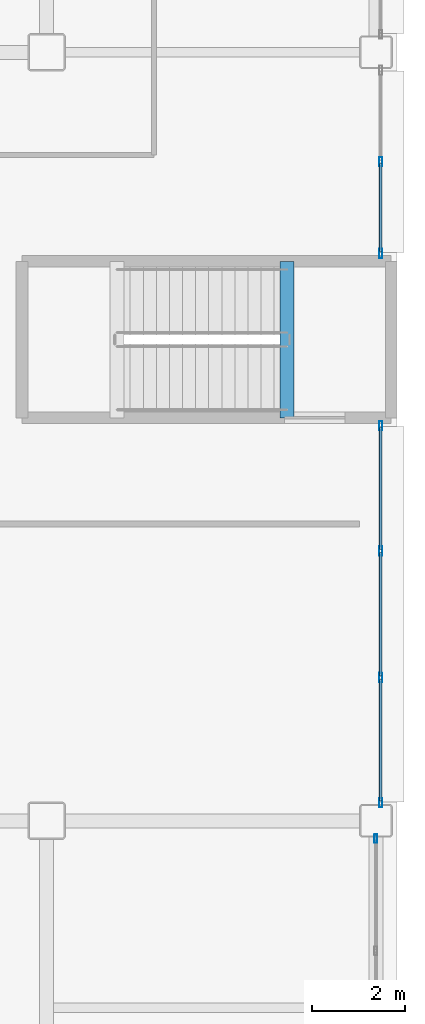
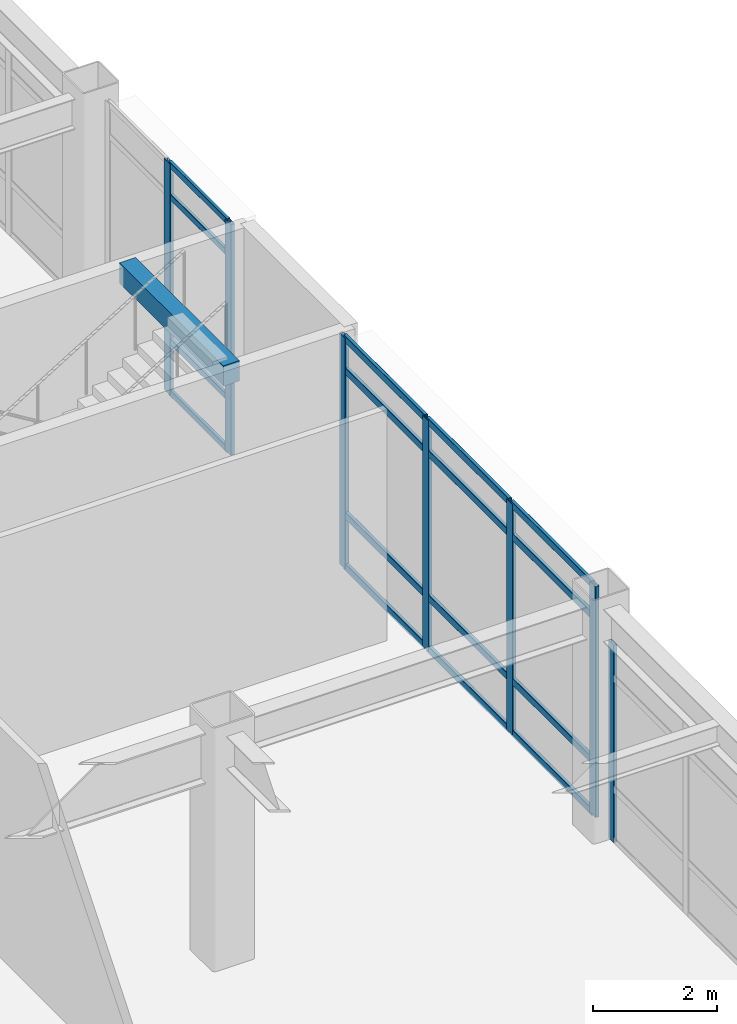
# One storey, part 104 of 154: 23 members, 1 beam, 3 elements without a shape of their own.
"""IFC4 building model written with IfcOpenShell, lengths in metres."""

import ifcopenshell
import ifcopenshell.guid

model = None  # the IFC model being written
_history = None  # IfcOwnerHistory: only IFC2X3 demands one
_inside = {}  # id of a spatial element -> (the spatial element, [elements in it])
_under = {}  # id of a project, library or spatial element -> (it, [spatial elements below it])
_declared = {}  # id of a project -> (the project, [libraries it declares])
_typed = {}  # id of a type object -> (the type object, [elements of that type])
_made_of = {}  # id of a material, layer set ... -> (it, [elements and type objects made of it])


def new_model(schema):
    """Start an empty IFC model of exactly this schema.

    Asked for "IFC4X3", IfcOpenShell would pick the latest addendum, in which some entities
    have other attributes; the version numbers below select the first issue.
    IFC2X3 requires an IfcOwnerHistory on every rooted entity: one is made here for all.
    """
    global model, _history
    if schema == "IFC4X3":
        model = ifcopenshell.file(schema_version=(4, 3, 0, 0))
    else:
        model = ifcopenshell.file(schema=schema)
    _inside.clear()
    _under.clear()
    _declared.clear()
    _typed.clear()
    _made_of.clear()
    _history = None
    if model.schema == "IFC2X3":
        org = make("IfcOrganization", Name="unknown")
        user = make(
            "IfcPersonAndOrganization",
            ThePerson=make("IfcPerson", FamilyName="unknown"),
            TheOrganization=org,
        )
        app = make(
            "IfcApplication",
            ApplicationDeveloper=org,
            Version="unknown",
            ApplicationFullName="unknown",
            ApplicationIdentifier="unknown",
        )
        _history = make(
            "IfcOwnerHistory",
            OwningUser=user,
            OwningApplication=app,
            ChangeAction="ADDED",
            CreationDate=0,
        )
    return model


def make(cls, **values):
    """One entity of the class cls with the attributes given. An attribute that is None is left unset."""
    return model.create_entity(
        cls, **{name: value for name, value in values.items() if value is not None}
    )


def rooted(cls, **values):
    """An entity with a GlobalId (a new one), such as an element, a storey or a relation."""
    return make(cls, GlobalId=ifcopenshell.guid.new(), OwnerHistory=_history, **values)


def si_unit(unit_type, name, prefix=None):
    """IfcSIUnit, for example si_unit("LENGTHUNIT", "METRE", prefix="MILLI")."""
    return make("IfcSIUnit", UnitType=unit_type, Prefix=prefix, Name=name)


def assignment(units):
    """IfcUnitAssignment: the units of a project."""
    return None if units is None else make("IfcUnitAssignment", Units=units)


def point(xyz):
    """IfcCartesianPoint."""
    return None if xyz is None else make("IfcCartesianPoint", Coordinates=xyz)


def direction(xyz):
    """IfcDirection."""
    return None if xyz is None else make("IfcDirection", DirectionRatios=xyz)


def frame(location, z_axis=None, x_axis=None):
    """IfcAxis2Placement3D, a coordinate frame: its origin and axes. An axis left out is left unset."""
    return make(
        "IfcAxis2Placement3D",
        Location=point(location),
        Axis=direction(z_axis),
        RefDirection=direction(x_axis),
    )


def frame_2d(location, x_axis=None):
    """IfcAxis2Placement2D, a coordinate frame in the plane: its origin and x axis."""
    return make(
        "IfcAxis2Placement2D", Location=point(location), RefDirection=direction(x_axis)
    )


def origin():
    """The frame at (0, 0, 0) with its axes left unset."""
    return frame((0.0, 0.0, 0.0))


def origin_2d():
    """The frame at (0, 0) in the plane with its x axis left unset."""
    return frame_2d((0.0, 0.0))


def place(relative_to, where):
    """IfcLocalPlacement: puts the frame where relative to a parent placement (None: the world)."""
    return make(
        "IfcLocalPlacement", PlacementRelTo=relative_to, RelativePlacement=where
    )


def context(
    kind, dimensions, precision=None, world=None, true_north=None, identifier=None
):
    """IfcGeometricRepresentationContext, for example the 3D "Model" context."""
    return make(
        "IfcGeometricRepresentationContext",
        ContextIdentifier=identifier,
        ContextType=kind,
        CoordinateSpaceDimension=dimensions,
        Precision=precision,
        WorldCoordinateSystem=world,
        TrueNorth=true_north,
    )


def subcontext(parent, identifier, kind, view, scale=None):
    """IfcGeometricRepresentationSubContext, for example "Body" below "Model"."""
    return make(
        "IfcGeometricRepresentationSubContext",
        ContextIdentifier=identifier,
        ContextType=kind,
        ParentContext=parent,
        TargetScale=scale,
        TargetView=view,
    )


def project(units=None, contexts=None):
    """IfcProject with its units and contexts."""
    return rooted(
        "IfcProject",
        Name="project",
        RepresentationContexts=contexts,
        UnitsInContext=assignment(units),
    )


def spatial(cls, under=None, at=None, **own):
    """A site, building, storey or space (cls), placed at a placement, below another one or the project."""
    s = rooted(cls, ObjectPlacement=at, **own)
    if under is not None:
        _under.setdefault(under.id(), (under, []))[1].append(s)
    return s


def profile(cls, at=None, kind="AREA", **sizes):
    """A parametric profile (cls). Its sizes go by their IFC names, for example OverallWidth=200.0."""
    return make(cls, ProfileType=kind, Position=at, **sizes)


def rectangle(**sizes):
    """IfcRectangleProfileDef."""
    return profile("IfcRectangleProfileDef", **sizes)


def hollow_rectangle(**sizes):
    """IfcRectangleHollowProfileDef."""
    return profile("IfcRectangleHollowProfileDef", **sizes)


def extrude(swept, where, along, depth):
    """IfcExtrudedAreaSolid: the profile swept, set in the frame where, extruded along a direction by depth."""
    return make(
        "IfcExtrudedAreaSolid",
        SweptArea=swept,
        Position=where,
        ExtrudedDirection=direction(along),
        Depth=depth,
    )


def shape(context_of_items, identifier, shape_type, items):
    """IfcShapeRepresentation: the items that make up one representation, for example the "Body"."""
    return make(
        "IfcShapeRepresentation",
        ContextOfItems=context_of_items,
        RepresentationIdentifier=identifier,
        RepresentationType=shape_type,
        Items=items,
    )


def material(Name=None, Category=None):
    """IfcMaterial."""
    return make("IfcMaterial", Name=Name, Category=Category)


def layer(
    of_material, thickness, ventilated=None, Name=None, Category=None, Priority=None
):
    """IfcMaterialLayer: one layer of a wall or slab, of a material (None: an air gap)."""
    return make(
        "IfcMaterialLayer",
        Material=of_material,
        LayerThickness=thickness,
        IsVentilated=ventilated,
        Name=Name,
        Category=Category,
        Priority=Priority,
    )


def layer_set(layers, Name=None):
    """IfcMaterialLayerSet."""
    return make("IfcMaterialLayerSet", MaterialLayers=layers, LayerSetName=Name)


def material_profile(
    of_material, cross_section, Name=None, Category=None, Priority=None
):
    """IfcMaterialProfile: a cross section and its material."""
    return make(
        "IfcMaterialProfile",
        Name=Name,
        Material=of_material,
        Profile=cross_section,
        Priority=Priority,
        Category=Category,
    )


def profile_set(profiles, Name=None, composite=None):
    """IfcMaterialProfileSet."""
    return make(
        "IfcMaterialProfileSet",
        Name=Name,
        MaterialProfiles=profiles,
        CompositeProfile=composite,
    )


def made_of(thing, what):
    """Note that an element or type object is made of a material, layer set ...; save() writes the relation."""
    if what is not None:
        _made_of.setdefault(what.id(), (what, []))[1].append(thing)
    return thing


def type_object(cls, material=None, **own):
    """A type object (cls), such as IfcWallType, which elements share."""
    return made_of(rooted(cls, **own), material)


def element(
    cls,
    number,
    at=None,
    inside=None,
    cuts=None,
    type_object=None,
    material=None,
    context=None,
    identifier="Body",
    shape_type=None,
    held_by="IfcProductDefinitionShape",
    body=None,
    shapes=None,
    **own,
):
    """One element of the class cls, such as IfcWall. Its Tag is "e" and its number.

    at: its placement. inside: the storey or other place that contains it. cuts: it is an
    opening in that element (IfcRelVoidsElement). A single representation is given by context,
    identifier, shape_type and body (its items); several are given by shapes. held_by: the class
    of the entity that holds the representations. save() writes the other relations.
    """
    e = rooted(cls, Tag="e%d" % number, ObjectPlacement=at, **own)
    if body is not None:
        shapes = [shape(context, identifier, shape_type, body)]
    if shapes is not None:
        e.Representation = make(held_by, Representations=shapes)
    if inside is not None:
        _inside.setdefault(inside.id(), (inside, []))[1].append(e)
    if cuts is not None:
        rooted(
            "IfcRelVoidsElement", RelatingBuildingElement=cuts, RelatedOpeningElement=e
        )
    if type_object is not None:
        _typed.setdefault(type_object.id(), (type_object, []))[1].append(e)
    return made_of(e, material)


def aggregate(whole, parts):
    """IfcRelAggregates: a whole, such as a stair, and the parts it consists of."""
    return rooted("IfcRelAggregates", RelatingObject=whole, RelatedObjects=parts)


def save(model, path):
    """Write the relations noted so far, then the file.

    IfcRelAggregates (storeys below a building ...), IfcRelContainedInSpatialStructure (elements
    in a storey), IfcRelDefinesByType, IfcRelAssociatesMaterial and IfcRelDeclares: one each for
    every whole, place, type object, material and project.
    """
    for whole, parts in _under.values():
        aggregate(whole, parts)
    for where, things in _inside.values():
        rooted(
            "IfcRelContainedInSpatialStructure",
            RelatedElements=things,
            RelatingStructure=where,
        )
    for kind, things in _typed.values():
        rooted("IfcRelDefinesByType", RelatedObjects=things, RelatingType=kind)
    for what, things in _made_of.values():
        rooted("IfcRelAssociatesMaterial", RelatedObjects=things, RelatingMaterial=what)
    for by, libraries in _declared.values():
        rooted("IfcRelDeclares", RelatingContext=by, RelatedDefinitions=libraries)
    model.write(path)


model = new_model("IFC4")

# Units and contexts
model_context = context("Model", 3, precision=1e-05, world=origin(), true_north=direction((0.0, 1.0)))
body_context = subcontext(model_context, "Body", "Model", "MODEL_VIEW")
ifc_project = project(units=[si_unit("LENGTHUNIT", "METRE"), si_unit("AREAUNIT", "SQUARE_METRE"), si_unit("VOLUMEUNIT", "CUBIC_METRE"), si_unit("PLANEANGLEUNIT", "RADIAN"), si_unit("MASSUNIT", "GRAM", prefix="KILO")], contexts=[model_context])

# Site, building, storey
site_placement = place(None, origin())
site = spatial("IfcSite", under=ifc_project, at=site_placement, CompositionType="ELEMENT")
building_placement = place(site_placement, origin())
building = spatial("IfcBuilding", under=site, at=building_placement, Name="Kazehara Bluff Congress Hotel", CompositionType="ELEMENT")
storey_placement = place(building_placement, frame((0.0, 0.0, 10.199951171875)))
storey = spatial("IfcBuildingStorey", under=building, at=storey_placement, Name="L02", CompositionType="ELEMENT", Elevation=10.199951171875)

# Curtain wall, member
ifc_material_1 = material(Name="Anodised aluminium", Category="aluminium")
ifc_layer_1 = layer(ifc_material_1, 0.159912109375)
ifc_layer_set_1 = layer_set([ifc_layer_1], Name="Anodised aluminium")
curtain_wall_type_1 = type_object("IfcCurtainWallType", Name="TP-CW-80", PredefinedType="NOTDEFINED", material=ifc_layer_set_1)
curtain_wall_1_placement = place(storey_placement, origin())
curtain_wall_1 = element("IfcCurtainWall", 1, at=curtain_wall_1_placement, inside=storey, type_object=curtain_wall_type_1, Name="L02 curtain wall CW-80 CW-V5-L02-X16755-5680", PredefinedType="NOTDEFINED")
ifc_material_2 = material(Name="Anodised aluminium", Category="aluminium")
ifc_material_profile_1 = material_profile(ifc_material_2, hollow_rectangle(XDim=0.06494140625, YDim=0.179931640625, WallThickness=0.00390625, InnerFilletRadius=0.00390625, OuterFilletRadius=0.008056640625, at=origin_2d()))
ifc_profile_set_1 = profile_set([ifc_material_profile_1], Name="Anodised aluminium")
member_type_1 = type_object("IfcMemberType", Name="TP-CWM-02", PredefinedType="MULLION", material=ifc_profile_set_1)
member_1_placement = place(storey_placement, frame((167.550048828125, 64.0673828125, 0.0), z_axis=(0.0, 0.0, 1.0), x_axis=(-1.0, 0.0, 0.0)))
member_1 = element("IfcMember", 2, at=member_1_placement, type_object=member_type_1, Name="CW-80 mullion 4", PredefinedType="MULLION", context=body_context, shape_type="SweptSolid", body=[
    extrude(hollow_rectangle(XDim=0.06494140625, YDim=0.179931640625, WallThickness=0.00390625, InnerFilletRadius=0.00390625, OuterFilletRadius=0.008056640625, at=origin_2d()), origin(), (0.0, 0.0, 1.0), 3.885009765625),
])
aggregate(curtain_wall_1, [member_1])

# Curtain wall, members
ifc_material_3 = material(Name="Anodised aluminium", Category="aluminium")
ifc_layer_2 = layer(ifc_material_3, 0.159912109375)
ifc_layer_set_2 = layer_set([ifc_layer_2], Name="Anodised aluminium")
curtain_wall_type_2 = type_object("IfcCurtainWallType", Name="TP-CW-115", PredefinedType="NOTDEFINED", material=ifc_layer_set_2)
curtain_wall_2_placement = place(storey_placement, origin())
curtain_wall_2 = element("IfcCurtainWall", 3, at=curtain_wall_2_placement, inside=storey, type_object=curtain_wall_type_2, Name="L02 curtain wall CW-115 CW-ENC-V5-L02-16765-6887", PredefinedType="NOTDEFINED")
ifc_material_4 = material(Name="Anodised aluminium", Category="aluminium")
ifc_material_profile_2 = material_profile(ifc_material_4, hollow_rectangle(XDim=0.070068359375, YDim=0.199951171875, WallThickness=0.0048828125, InnerFilletRadius=0.0048828125, OuterFilletRadius=0.010009765625, at=origin_2d()))
ifc_profile_set_2 = profile_set([ifc_material_profile_2], Name="Anodised aluminium")
member_type_2 = type_object("IfcMemberType", Name="TP-CWM-03", PredefinedType="MULLION", material=ifc_profile_set_2)
member_2_placement = place(storey_placement, frame((167.64990234375, 72.905029296875, 0.0), z_axis=(0.0, 0.0, 1.0), x_axis=(1.0, 0.0, 0.0)))
member_2 = element("IfcMember", 4, at=member_2_placement, type_object=member_type_2, Name="CW-115 mullion 1", PredefinedType="MULLION", context=body_context, shape_type="SweptSolid", body=[
    extrude(hollow_rectangle(XDim=0.070068359375, YDim=0.199951171875, WallThickness=0.0048828125, InnerFilletRadius=0.0048828125, OuterFilletRadius=0.010009765625, at=origin_2d()), origin(), (0.0, 0.0, 1.0), 4.545166015625),
])
member_3_placement = place(storey_placement, frame((167.64990234375, 70.2265625, 0.0), z_axis=(0.0, 0.0, 1.0), x_axis=(1.0, 0.0, 0.0)))
member_3 = element("IfcMember", 5, at=member_3_placement, type_object=member_type_2, Name="CW-115 mullion 2", PredefinedType="MULLION", context=body_context, shape_type="SweptSolid", body=[
    extrude(hollow_rectangle(XDim=0.070068359375, YDim=0.199951171875, WallThickness=0.0048828125, InnerFilletRadius=0.0048828125, OuterFilletRadius=0.010009765625, at=origin_2d()), origin(), (0.0, 0.0, 1.0), 4.545166015625),
])
member_4_placement = place(storey_placement, frame((167.64990234375, 67.513427734375, 0.0), z_axis=(0.0, 0.0, 1.0), x_axis=(1.0, 0.0, 0.0)))
member_4 = element("IfcMember", 6, at=member_4_placement, type_object=member_type_2, Name="CW-115 mullion 3", PredefinedType="MULLION", context=body_context, shape_type="SweptSolid", body=[
    extrude(hollow_rectangle(XDim=0.070068359375, YDim=0.199951171875, WallThickness=0.0048828125, InnerFilletRadius=0.0048828125, OuterFilletRadius=0.010009765625, at=origin_2d()), origin(), (0.0, 0.0, 1.0), 4.545166015625),
])
member_5_placement = place(storey_placement, frame((167.64990234375, 64.8349609375, 0.0), z_axis=(0.0, 0.0, 1.0), x_axis=(1.0, 0.0, 0.0)))
member_5 = element("IfcMember", 7, at=member_5_placement, type_object=member_type_2, Name="CW-115 mullion 4", PredefinedType="MULLION", context=body_context, shape_type="SweptSolid", body=[
    extrude(hollow_rectangle(XDim=0.070068359375, YDim=0.199951171875, WallThickness=0.0048828125, InnerFilletRadius=0.0048828125, OuterFilletRadius=0.010009765625, at=origin_2d()), origin(), (0.0, 0.0, 1.0), 4.545166015625),
])

ifc_material_5 = material(Name="Anodised aluminium", Category="aluminium")
ifc_layer_3 = layer(ifc_material_5, 0.159912109375)
ifc_layer_set_3 = layer_set([ifc_layer_3], Name="Anodised aluminium")
curtain_wall_type_3 = type_object("IfcCurtainWallType", Name="TP-CW-116", PredefinedType="NOTDEFINED", material=ifc_layer_set_3)
curtain_wall_3_placement = place(storey_placement, origin())
curtain_wall_3 = element("IfcCurtainWall", 8, at=curtain_wall_3_placement, inside=storey, type_object=curtain_wall_type_3, Name="L02 curtain wall CW-116 CW-ENC-V5-L02-16765-7856", PredefinedType="NOTDEFINED")
member_6_placement = place(storey_placement, frame((167.64990234375, 78.554931640625, 0.0), z_axis=(0.0, 0.0, 1.0), x_axis=(1.0, 0.0, 0.0)))
member_6 = element("IfcMember", 9, at=member_6_placement, type_object=member_type_2, Name="CW-116 mullion 2", PredefinedType="MULLION", context=body_context, shape_type="SweptSolid", body=[
    extrude(hollow_rectangle(XDim=0.070068359375, YDim=0.199951171875, WallThickness=0.0048828125, InnerFilletRadius=0.0048828125, OuterFilletRadius=0.010009765625, at=origin_2d()), origin(), (0.0, 0.0, 1.0), 4.545166015625),
])
member_7_placement = place(storey_placement, frame((167.64990234375, 76.594970703125, 0.0), z_axis=(0.0, 0.0, 1.0), x_axis=(1.0, 0.0, 0.0)))
member_7 = element("IfcMember", 10, at=member_7_placement, type_object=member_type_2, Name="CW-116 mullion 3", PredefinedType="MULLION", context=body_context, shape_type="SweptSolid", body=[
    extrude(hollow_rectangle(XDim=0.070068359375, YDim=0.199951171875, WallThickness=0.0048828125, InnerFilletRadius=0.0048828125, OuterFilletRadius=0.010009765625, at=origin_2d()), origin(), (0.0, 0.0, 1.0), 4.545166015625),
])
ifc_material_6 = material(Name="Anodised aluminium", Category="aluminium")
ifc_material_profile_3 = material_profile(ifc_material_6, hollow_rectangle(XDim=0.06005859375, YDim=0.1201171875, WallThickness=0.00390625, InnerFilletRadius=0.00390625, OuterFilletRadius=0.008056640625, at=origin_2d()))
ifc_profile_set_3 = profile_set([ifc_material_profile_3], Name="Anodised aluminium")
member_type_3 = type_object("IfcMemberType", Name="TP-CWT-01", PredefinedType="USERDEFINED", material=ifc_profile_set_3)
member_8_placement = place(storey_placement, frame((167.64990234375, 78.52001953125, 0.030029296875), z_axis=(0.0, -1.0, 0.0), x_axis=(1.0, 0.0, 0.0)))
member_8 = element("IfcMember", 11, at=member_8_placement, type_object=member_type_3, Name="CW-116 transom 2.1", ObjectType="TRANSOM", PredefinedType="USERDEFINED", context=body_context, shape_type="SweptSolid", body=[
    extrude(hollow_rectangle(XDim=0.06005859375, YDim=0.1201171875, WallThickness=0.00390625, InnerFilletRadius=0.00390625, OuterFilletRadius=0.008056640625, at=origin_2d()), origin(), (0.0, 0.0, 1.0), 1.89013671875),
])
member_9_placement = place(storey_placement, frame((167.64990234375, 78.52001953125, 1.050048828125), z_axis=(0.0, -1.0, 0.0), x_axis=(1.0, 0.0, 0.0)))
member_9 = element("IfcMember", 12, at=member_9_placement, type_object=member_type_3, Name="CW-116 transom 2.2", ObjectType="TRANSOM", PredefinedType="USERDEFINED", context=body_context, shape_type="SweptSolid", body=[
    extrude(hollow_rectangle(XDim=0.06005859375, YDim=0.1201171875, WallThickness=0.00390625, InnerFilletRadius=0.00390625, OuterFilletRadius=0.008056640625, at=origin_2d()), origin(), (0.0, 0.0, 1.0), 1.89013671875),
])
member_10_placement = place(storey_placement, frame((167.64990234375, 78.52001953125, 3.89501953125), z_axis=(0.0, -1.0, 0.0), x_axis=(1.0, 0.0, 0.0)))
member_10 = element("IfcMember", 13, at=member_10_placement, type_object=member_type_3, Name="CW-116 transom 2.3", ObjectType="TRANSOM", PredefinedType="USERDEFINED", context=body_context, shape_type="SweptSolid", body=[
    extrude(hollow_rectangle(XDim=0.06005859375, YDim=0.1201171875, WallThickness=0.00390625, InnerFilletRadius=0.00390625, OuterFilletRadius=0.008056640625, at=origin_2d()), origin(), (0.0, 0.0, 1.0), 1.89013671875),
])
member_11_placement = place(storey_placement, frame((167.64990234375, 78.52001953125, 4.51513671875), z_axis=(0.0, -1.0, 0.0), x_axis=(1.0, 0.0, 0.0)))
member_11 = element("IfcMember", 14, at=member_11_placement, type_object=member_type_3, Name="CW-116 transom 2.4", ObjectType="TRANSOM", PredefinedType="USERDEFINED", context=body_context, shape_type="SweptSolid", body=[
    extrude(hollow_rectangle(XDim=0.06005859375, YDim=0.1201171875, WallThickness=0.00390625, InnerFilletRadius=0.00390625, OuterFilletRadius=0.008056640625, at=origin_2d()), origin(), (0.0, 0.0, 1.0), 1.89013671875),
])
aggregate(curtain_wall_3, [member_6, member_7, member_8, member_9, member_10, member_11])

# Member
ifc_material_7 = material(Name="Anodised aluminium", Category="aluminium")
ifc_material_profile_4 = material_profile(ifc_material_7, hollow_rectangle(XDim=0.06494140625, YDim=0.139892578125, WallThickness=0.00390625, InnerFilletRadius=0.00390625, OuterFilletRadius=0.008056640625, at=origin_2d()))
ifc_profile_set_4 = profile_set([ifc_material_profile_4], Name="Anodised aluminium")
member_type_4 = type_object("IfcMemberType", Name="TP-CWT-02", PredefinedType="USERDEFINED", material=ifc_profile_set_4)
member_12_placement = place(storey_placement, frame((167.64990234375, 72.8701171875, 0.032470703125), z_axis=(0.0, -1.0, 0.0), x_axis=(1.0, 0.0, 0.0)))
member_12 = element("IfcMember", 15, at=member_12_placement, type_object=member_type_4, Name="CW-115 transom 1.1", ObjectType="TRANSOM", PredefinedType="USERDEFINED", context=body_context, shape_type="SweptSolid", body=[
    extrude(hollow_rectangle(XDim=0.06494140625, YDim=0.139892578125, WallThickness=0.00390625, InnerFilletRadius=0.00390625, OuterFilletRadius=0.008056640625, at=origin_2d()), origin(), (0.0, 0.0, 1.0), 2.6083984375),
])

member_13_placement = place(storey_placement, frame((167.64990234375, 72.8701171875, 1.050048828125), z_axis=(0.0, -1.0, 0.0), x_axis=(1.0, 0.0, 0.0)))
member_13 = element("IfcMember", 16, at=member_13_placement, type_object=member_type_4, Name="CW-115 transom 1.2", ObjectType="TRANSOM", PredefinedType="USERDEFINED", context=body_context, shape_type="SweptSolid", body=[
    extrude(hollow_rectangle(XDim=0.06494140625, YDim=0.139892578125, WallThickness=0.00390625, InnerFilletRadius=0.00390625, OuterFilletRadius=0.008056640625, at=origin_2d()), origin(), (0.0, 0.0, 1.0), 2.6083984375),
])

member_14_placement = place(storey_placement, frame((167.64990234375, 72.8701171875, 3.89501953125), z_axis=(0.0, -1.0, 0.0), x_axis=(1.0, 0.0, 0.0)))
member_14 = element("IfcMember", 17, at=member_14_placement, type_object=member_type_4, Name="CW-115 transom 1.3", ObjectType="TRANSOM", PredefinedType="USERDEFINED", context=body_context, shape_type="SweptSolid", body=[
    extrude(hollow_rectangle(XDim=0.06494140625, YDim=0.139892578125, WallThickness=0.00390625, InnerFilletRadius=0.00390625, OuterFilletRadius=0.008056640625, at=origin_2d()), origin(), (0.0, 0.0, 1.0), 2.6083984375),
])

member_15_placement = place(storey_placement, frame((167.64990234375, 72.8701171875, 4.512451171875), z_axis=(0.0, -1.0, 0.0), x_axis=(1.0, 0.0, 0.0)))
member_15 = element("IfcMember", 18, at=member_15_placement, type_object=member_type_4, Name="CW-115 transom 1.4", ObjectType="TRANSOM", PredefinedType="USERDEFINED", context=body_context, shape_type="SweptSolid", body=[
    extrude(hollow_rectangle(XDim=0.06494140625, YDim=0.139892578125, WallThickness=0.00390625, InnerFilletRadius=0.00390625, OuterFilletRadius=0.008056640625, at=origin_2d()), origin(), (0.0, 0.0, 1.0), 2.6083984375),
])

member_16_placement = place(storey_placement, frame((167.64990234375, 70.191650390625, 0.032470703125), z_axis=(0.0, -1.0, 0.0), x_axis=(1.0, 0.0, 0.0)))
member_16 = element("IfcMember", 19, at=member_16_placement, type_object=member_type_4, Name="CW-115 transom 2.1", ObjectType="TRANSOM", PredefinedType="USERDEFINED", context=body_context, shape_type="SweptSolid", body=[
    extrude(hollow_rectangle(XDim=0.06494140625, YDim=0.139892578125, WallThickness=0.00390625, InnerFilletRadius=0.00390625, OuterFilletRadius=0.008056640625, at=origin_2d()), origin(), (0.0, 0.0, 1.0), 2.643310546875),
])

member_17_placement = place(storey_placement, frame((167.64990234375, 70.191650390625, 1.050048828125), z_axis=(0.0, -1.0, 0.0), x_axis=(1.0, 0.0, 0.0)))
member_17 = element("IfcMember", 20, at=member_17_placement, type_object=member_type_4, Name="CW-115 transom 2.2", ObjectType="TRANSOM", PredefinedType="USERDEFINED", context=body_context, shape_type="SweptSolid", body=[
    extrude(hollow_rectangle(XDim=0.06494140625, YDim=0.139892578125, WallThickness=0.00390625, InnerFilletRadius=0.00390625, OuterFilletRadius=0.008056640625, at=origin_2d()), origin(), (0.0, 0.0, 1.0), 2.643310546875),
])

member_18_placement = place(storey_placement, frame((167.64990234375, 70.191650390625, 3.89501953125), z_axis=(0.0, -1.0, 0.0), x_axis=(1.0, 0.0, 0.0)))
member_18 = element("IfcMember", 21, at=member_18_placement, type_object=member_type_4, Name="CW-115 transom 2.3", ObjectType="TRANSOM", PredefinedType="USERDEFINED", context=body_context, shape_type="SweptSolid", body=[
    extrude(hollow_rectangle(XDim=0.06494140625, YDim=0.139892578125, WallThickness=0.00390625, InnerFilletRadius=0.00390625, OuterFilletRadius=0.008056640625, at=origin_2d()), origin(), (0.0, 0.0, 1.0), 2.643310546875),
])

member_19_placement = place(storey_placement, frame((167.64990234375, 70.191650390625, 4.512451171875), z_axis=(0.0, -1.0, 0.0), x_axis=(1.0, 0.0, 0.0)))
member_19 = element("IfcMember", 22, at=member_19_placement, type_object=member_type_4, Name="CW-115 transom 2.4", ObjectType="TRANSOM", PredefinedType="USERDEFINED", context=body_context, shape_type="SweptSolid", body=[
    extrude(hollow_rectangle(XDim=0.06494140625, YDim=0.139892578125, WallThickness=0.00390625, InnerFilletRadius=0.00390625, OuterFilletRadius=0.008056640625, at=origin_2d()), origin(), (0.0, 0.0, 1.0), 2.643310546875),
])

member_20_placement = place(storey_placement, frame((167.64990234375, 67.478271484375, 0.032470703125), z_axis=(0.0, -1.0, 0.0), x_axis=(1.0, 0.0, 0.0)))
member_20 = element("IfcMember", 23, at=member_20_placement, type_object=member_type_4, Name="CW-115 transom 3.1", ObjectType="TRANSOM", PredefinedType="USERDEFINED", context=body_context, shape_type="SweptSolid", body=[
    extrude(hollow_rectangle(XDim=0.06494140625, YDim=0.139892578125, WallThickness=0.00390625, InnerFilletRadius=0.00390625, OuterFilletRadius=0.008056640625, at=origin_2d()), origin(), (0.0, 0.0, 1.0), 2.608154296875),
])

member_21_placement = place(storey_placement, frame((167.64990234375, 67.478271484375, 1.050048828125), z_axis=(0.0, -1.0, 0.0), x_axis=(1.0, 0.0, 0.0)))
member_21 = element("IfcMember", 24, at=member_21_placement, type_object=member_type_4, Name="CW-115 transom 3.2", ObjectType="TRANSOM", PredefinedType="USERDEFINED", context=body_context, shape_type="SweptSolid", body=[
    extrude(hollow_rectangle(XDim=0.06494140625, YDim=0.139892578125, WallThickness=0.00390625, InnerFilletRadius=0.00390625, OuterFilletRadius=0.008056640625, at=origin_2d()), origin(), (0.0, 0.0, 1.0), 2.608154296875),
])

member_22_placement = place(storey_placement, frame((167.64990234375, 67.478271484375, 3.89501953125), z_axis=(0.0, -1.0, 0.0), x_axis=(1.0, 0.0, 0.0)))
member_22 = element("IfcMember", 25, at=member_22_placement, type_object=member_type_4, Name="CW-115 transom 3.3", ObjectType="TRANSOM", PredefinedType="USERDEFINED", context=body_context, shape_type="SweptSolid", body=[
    extrude(hollow_rectangle(XDim=0.06494140625, YDim=0.139892578125, WallThickness=0.00390625, InnerFilletRadius=0.00390625, OuterFilletRadius=0.008056640625, at=origin_2d()), origin(), (0.0, 0.0, 1.0), 2.608154296875),
])

member_23_placement = place(storey_placement, frame((167.64990234375, 67.478271484375, 4.512451171875), z_axis=(0.0, -1.0, 0.0), x_axis=(1.0, 0.0, 0.0)))
member_23 = element("IfcMember", 26, at=member_23_placement, type_object=member_type_4, Name="CW-115 transom 3.4", ObjectType="TRANSOM", PredefinedType="USERDEFINED", context=body_context, shape_type="SweptSolid", body=[
    extrude(hollow_rectangle(XDim=0.06494140625, YDim=0.139892578125, WallThickness=0.00390625, InnerFilletRadius=0.00390625, OuterFilletRadius=0.008056640625, at=origin_2d()), origin(), (0.0, 0.0, 1.0), 2.608154296875),
])

aggregate(curtain_wall_2, [member_2, member_3, member_4, member_5, member_12, member_13, member_14, member_15, member_16, member_17, member_18, member_19, member_20, member_21, member_22, member_23])

# Beam
ifc_material_8 = material(Name="Concrete C40/50", Category="concrete")
ifc_material_profile_5 = material_profile(ifc_material_8, rectangle(XDim=0.300048828125, YDim=0.39990234375, at=origin_2d()))
ifc_profile_set_5 = profile_set([ifc_material_profile_5], Name="Concrete C40/50")
beam_type = type_object("IfcBeamType", Name="TP-LN-02", PredefinedType="LINTEL", material=ifc_profile_set_5)
beam_placement = place(storey_placement, frame((165.64990234375, 76.425048828125, 4.380126953125), z_axis=(0.0, -1.0, 0.0), x_axis=(1.0, 0.0, 0.0)))
element("IfcBeam", 27, at=beam_placement, inside=storey, type_object=beam_type, Name="L03 ST-12 stairwell trimmer beam", PredefinedType="LINTEL", context=body_context, shape_type="SweptSolid", body=[
    extrude(rectangle(XDim=0.300048828125, YDim=0.39990234375, at=origin_2d()), origin(), (0.0, 0.0, 1.0), 3.35009765625),
])

save(model, "model.ifc")
